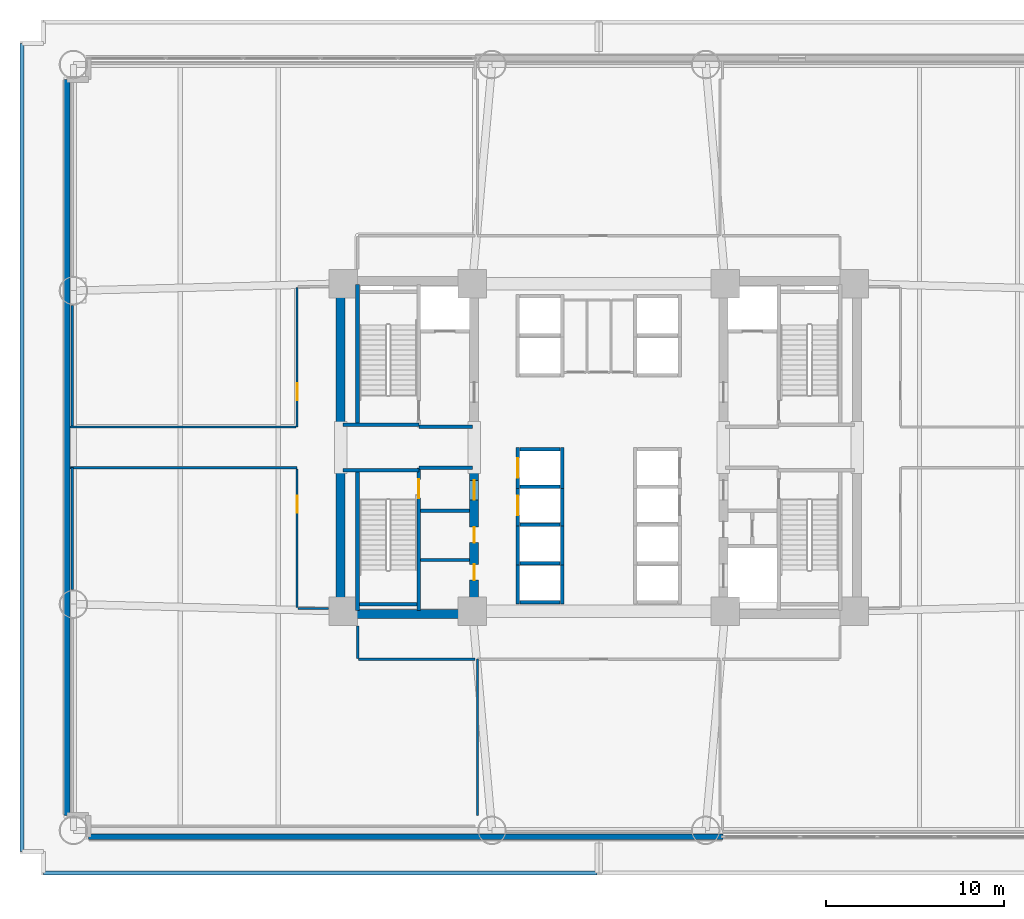
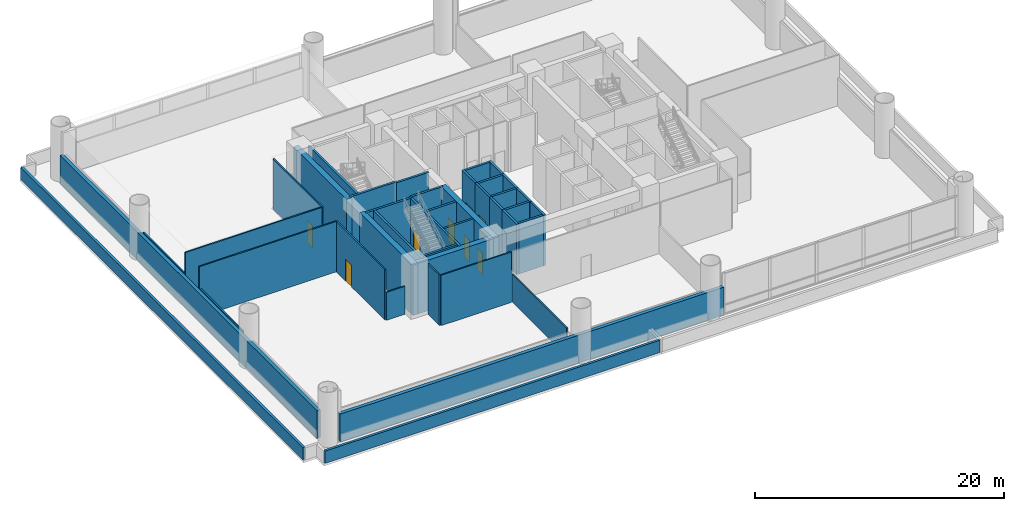
# One storey, part 5 of 12: 41 walls, 8 doors, 8 openings.
"""IFC4 building model written with IfcOpenShell, lengths in metres."""

from ifc_helpers import new_model, si_unit, direction, frame, frame_2d, origin, place, context, subcontext, project, spatial, rectangle, extrude, source, transform, mapped, material, layer, layer_set, type_object, element, fill, save


model = new_model("IFC4")

# Units and contexts
model_context = context("Model", 3, precision=1e-05, world=origin(), true_north=direction((0.0, 1.0)))
body_context = subcontext(model_context, "Body", "Model", "MODEL_VIEW")
ifc_project = project(units=[si_unit("LENGTHUNIT", "METRE"), si_unit("AREAUNIT", "SQUARE_METRE"), si_unit("VOLUMEUNIT", "CUBIC_METRE"), si_unit("PLANEANGLEUNIT", "RADIAN"), si_unit("MASSUNIT", "GRAM", prefix="KILO")], contexts=[model_context])

# Site, building, storey
site_placement = place(None, origin())
site = spatial("IfcSite", under=ifc_project, at=site_placement, CompositionType="ELEMENT")
building_placement = place(site_placement, origin())
building = spatial("IfcBuilding", under=site, at=building_placement, Name="Zahravan Cultural Tower", CompositionType="ELEMENT")
storey_placement = place(building_placement, frame((0.0, 0.0, 18.0)))
storey = spatial("IfcBuildingStorey", under=building, at=storey_placement, Name="L03", CompositionType="ELEMENT", Elevation=18.0)

# Wall, openings, doors
ifc_material_1 = material(Name="Concrete C60/75", Category="concrete")
ifc_layer_1 = layer(ifc_material_1, 0.5)
ifc_layer_set_1 = layer_set([ifc_layer_1], Name="Concrete C60/75")
wall_type_1 = type_object("IfcWallType", Name="CW-SHEAR-500-C60", PredefinedType="SHEAR", material=ifc_layer_set_1)
wall_1_placement = place(storey_placement, frame((29.0, 17.39990234375, 0.0), z_axis=(0.0, 0.0, 1.0), x_axis=(0.0, 1.0, 0.0)))
wall_1 = element("IfcWall", 1, at=wall_1_placement, inside=storey, type_object=wall_type_1, Name="L03 Core Shear Wall CW-W-ES-L03", PredefinedType="SHEAR", context=body_context, shape_type="SweptSolid", body=[
    extrude(rectangle(XDim=8.550048828125, YDim=0.5, at=frame_2d((4.27490234375, 0.0))), origin(), (0.0, 0.0, 1.0), 4.949951171875),
])
opening_1_placement = place(wall_1_placement, frame((6.64990234375, 0.0, 0.0)))
opening_1 = element("IfcOpeningElement", 2, at=opening_1_placement, cuts=wall_1, Name="Opening D-L03-07", PredefinedType="OPENING", context=body_context, shape_type="SweptSolid", body=[
    extrude(rectangle(XDim=1.10009765625, YDim=2.199951171875, at=frame_2d((0.550048828125, 1.10009765625))), frame((0.0, 0.260009765625, 0.0), z_axis=(0.0, -1.0, 0.0), x_axis=(1.0, 0.0, 0.0)), (0.0, 0.0, 1.0), 0.52001953125),
])
opening_2_placement = place(wall_1_placement, frame((2.14990234375, 0.0, 0.0)))
opening_2 = element("IfcOpeningElement", 3, at=opening_2_placement, cuts=wall_1, Name="Opening D-L03-09", PredefinedType="OPENING", context=body_context, shape_type="SweptSolid", body=[
    extrude(rectangle(XDim=0.8798828125, YDim=2.10009765625, at=frame_2d((0.43994140625, 1.050048828125))), frame((0.0, 0.260009765625, 0.0), z_axis=(0.0, -1.0, 0.0), x_axis=(1.0, 0.0, 0.0)), (0.0, 0.0, 1.0), 0.52001953125),
])
opening_3_placement = place(wall_1_placement, frame((4.25, 0.0, 0.0)))
opening_3 = element("IfcOpeningElement", 4, at=opening_3_placement, cuts=wall_1, Name="Opening D-L03-10", PredefinedType="OPENING", context=body_context, shape_type="SweptSolid", body=[
    extrude(rectangle(XDim=0.8798828125, YDim=2.10009765625, at=frame_2d((0.43994140625, 1.050048828125))), frame((0.0, 0.260009765625, 0.0), z_axis=(0.0, -1.0, 0.0), x_axis=(1.0, 0.0, 0.0)), (0.0, 0.0, 1.0), 0.52001953125),
])
ifc_material_2 = material(Name="Steel ASTM A572 Grade 50", Category="steel")
door_type_1 = type_object("IfcDoorType", Name="DR-LOBBY-1100", OperationType="NOTDEFINED", PredefinedType="DOOR", material=ifc_material_2)
shared_shape_1 = source(origin(), body_context, "Body", "SweptSolid", [
    extrude(rectangle(XDim=1.10009765625, YDim=2.199951171875, at=frame_2d((0.550048828125, 1.10009765625))), frame((0.0, 0.02490234375, 0.0), z_axis=(0.0, -1.0, 0.0), x_axis=(1.0, 0.0, 0.0)), (0.0, 0.0, 1.0), 0.050048828125),
])
door_1_placement = place(opening_1_placement, origin())
door_1 = element("IfcDoor", 5, at=door_1_placement, inside=storey, type_object=door_type_1, Name="L03 Door D-L03-07", OperationType="SINGLE_SWING_LEFT", OverallHeight=2.199951171875, OverallWidth=1.10009765625, PredefinedType="DOOR", context=body_context, shape_type="MappedRepresentation", body=[
    mapped(shared_shape_1, transform((0.0, 0.0, 0.0), x_axis=(1.0, 0.0, 0.0), y_axis=(0.0, 1.0, 0.0), z_axis=(0.0, 0.0, 1.0), scale=1.0)),
])
fill(opening_1, door_1)
door_type_2 = type_object("IfcDoorType", Name="DR-SVC-880", OperationType="NOTDEFINED", PredefinedType="DOOR", material=ifc_material_2)
shared_shape_2 = source(origin(), body_context, "Body", "SweptSolid", [
    extrude(rectangle(XDim=0.8798828125, YDim=2.10009765625, at=frame_2d((0.43994140625, 1.050048828125))), frame((0.0, 0.02490234375, 0.0), z_axis=(0.0, -1.0, 0.0), x_axis=(1.0, 0.0, 0.0)), (0.0, 0.0, 1.0), 0.050048828125),
])
door_2_placement = place(opening_2_placement, origin())
door_2 = element("IfcDoor", 6, at=door_2_placement, inside=storey, type_object=door_type_2, Name="L03 Door D-L03-09", OperationType="SINGLE_SWING_LEFT", OverallHeight=2.10009765625, OverallWidth=0.8798828125, PredefinedType="DOOR", context=body_context, shape_type="MappedRepresentation", body=[
    mapped(shared_shape_2, transform((0.0, 0.0, 0.0), x_axis=(1.0, 0.0, 0.0), y_axis=(0.0, 1.0, 0.0), z_axis=(0.0, 0.0, 1.0), scale=1.0)),
])
fill(opening_2, door_2)
door_3_placement = place(opening_3_placement, origin())
door_3 = element("IfcDoor", 7, at=door_3_placement, inside=storey, type_object=door_type_2, Name="L03 Door D-L03-10", OperationType="SINGLE_SWING_RIGHT", OverallHeight=2.10009765625, OverallWidth=0.8798828125, PredefinedType="DOOR", context=body_context, shape_type="MappedRepresentation", body=[
    mapped(shared_shape_2, transform((0.0, 0.0, 0.0), x_axis=(1.0, 0.0, 0.0), y_axis=(0.0, 1.0, 0.0), z_axis=(0.0, 0.0, 1.0), scale=1.0)),
])
fill(opening_3, door_3)

# Wall, opening, door
ifc_material_3 = material(Name="Gypsum plasterboard partition")
ifc_layer_2 = layer(ifc_material_3, 0.125)
ifc_layer_set_2 = layer_set([ifc_layer_2], Name="Gypsum plasterboard partition")
wall_type_2 = type_object("IfcWallType", Name="W-PART-125", PredefinedType="PARTITIONING", material=ifc_layer_set_2)
wall_2_placement = place(storey_placement, frame((19.06005859375, 25.79248046875, 0.0), z_axis=(0.0, 0.0, 1.0), x_axis=(0.0, -1.0, 0.0)))
wall_2 = element("IfcWall", 8, at=wall_2_placement, inside=storey, type_object=wall_type_2, Name="L03 Interior Wall 088", PredefinedType="PARTITIONING", context=body_context, shape_type="SweptSolid", body=[
    extrude(rectangle(XDim=7.78515625, YDim=0.125, at=frame_2d((3.892578125, 0.0))), origin(), (0.0, 0.0, 1.0), 4.949951171875),
])
opening_4_placement = place(wall_2_placement, frame((1.503662109375, 0.0, 0.0)))
opening_4 = element("IfcOpeningElement", 9, at=opening_4_placement, cuts=wall_2, Name="Opening D-L03-16", PredefinedType="OPENING", context=body_context, shape_type="SweptSolid", body=[
    extrude(rectangle(XDim=0.949951171875, YDim=2.14990234375, at=frame_2d((0.47509765625, 1.074951171875))), frame((0.0, 0.072509765625, 0.0), z_axis=(0.0, -1.0, 0.0), x_axis=(1.0, 0.0, 0.0)), (0.0, 0.0, 1.0), 0.14501953125),
])
ifc_material_4 = material(Name="Anodised bronze-aluminium mullion", Category="aluminium")
door_type_3 = type_object("IfcDoorType", Name="DR-ROOM-950", OperationType="NOTDEFINED", PredefinedType="DOOR", material=ifc_material_4)
shared_shape_3 = source(origin(), body_context, "Body", "SweptSolid", [
    extrude(rectangle(XDim=0.949951171875, YDim=2.14990234375, at=frame_2d((0.47509765625, 1.074951171875))), frame((0.0, 0.02490234375, 0.0), z_axis=(0.0, -1.0, 0.0), x_axis=(1.0, 0.0, 0.0)), (0.0, 0.0, 1.0), 0.050048828125),
])
door_4_placement = place(opening_4_placement, origin())
door_4 = element("IfcDoor", 10, at=door_4_placement, inside=storey, type_object=door_type_3, Name="L03 Door D-L03-16", OperationType="SINGLE_SWING_RIGHT", OverallHeight=2.14990234375, OverallWidth=0.949951171875, PredefinedType="DOOR", context=body_context, shape_type="MappedRepresentation", body=[
    mapped(shared_shape_3, transform((0.0, 0.0, 0.0), x_axis=(1.0, 0.0, 0.0), y_axis=(0.0, 1.0, 0.0), z_axis=(0.0, 0.0, 1.0), scale=1.0)),
])
fill(opening_4, door_4)

wall_3_placement = place(storey_placement, frame((19.06005859375, 35.994140625, 0.0), z_axis=(0.0, 0.0, 1.0), x_axis=(0.0, -1.0, 0.0)))
wall_3 = element("IfcWall", 11, at=wall_3_placement, inside=storey, type_object=wall_type_2, Name="L03 Interior Wall 096", PredefinedType="PARTITIONING", context=body_context, shape_type="SweptSolid", body=[
    extrude(rectangle(XDim=7.854248046875, YDim=0.125, at=frame_2d((3.92724609375, 0.0))), origin(), (0.0, 0.0, 1.0), 4.949951171875),
])
opening_5_placement = place(wall_3_placement, frame((5.38525390625, 0.0, 0.0)))
opening_5 = element("IfcOpeningElement", 12, at=opening_5_placement, cuts=wall_3, Name="Opening D-L03-17", PredefinedType="OPENING", context=body_context, shape_type="SweptSolid", body=[
    extrude(rectangle(XDim=0.949951171875, YDim=2.14990234375, at=frame_2d((0.47509765625, 1.074951171875))), frame((0.0, 0.072509765625, 0.0), z_axis=(0.0, -1.0, 0.0), x_axis=(1.0, 0.0, 0.0)), (0.0, 0.0, 1.0), 0.14501953125),
])
door_5_placement = place(opening_5_placement, origin())
door_5 = element("IfcDoor", 13, at=door_5_placement, inside=storey, type_object=door_type_3, Name="L03 Door D-L03-17", OperationType="SINGLE_SWING_LEFT", OverallHeight=2.14990234375, OverallWidth=0.949951171875, PredefinedType="DOOR", context=body_context, shape_type="MappedRepresentation", body=[
    mapped(shared_shape_3, transform((0.0, 0.0, 0.0), x_axis=(1.0, 0.0, 0.0), y_axis=(0.0, 1.0, 0.0), z_axis=(0.0, 0.0, 1.0), scale=1.0)),
])
fill(opening_5, door_5)

ifc_material_5 = material(Name="Concrete C45/55", Category="concrete")
ifc_layer_3 = layer(ifc_material_5, 0.199951171875)
ifc_layer_set_3 = layer_set([ifc_layer_3], Name="Concrete C45/55")
wall_type_3 = type_object("IfcWallType", Name="W-SHAFT-200", PredefinedType="SOLIDWALL", material=ifc_layer_set_3)
wall_4_placement = place(storey_placement, frame((25.89990234375, 17.85009765625, 0.0), z_axis=(0.0, 0.0, 1.0), x_axis=(0.0, 1.0, 0.0)))
wall_4 = element("IfcWall", 14, at=wall_4_placement, inside=storey, type_object=wall_type_3, Name="L03 Interior Wall 005", PredefinedType="SOLIDWALL", context=body_context, shape_type="SweptSolid", body=[
    extrude(rectangle(XDim=8.0, YDim=0.199951171875, at=frame_2d((4.0, 0.0))), origin(), (0.0, 0.0, 1.0), 4.949951171875),
])
opening_6_placement = place(wall_4_placement, frame((6.300048828125, 0.0, 0.0)))
opening_6 = element("IfcOpeningElement", 15, at=opening_6_placement, cuts=wall_4, Name="Opening D-L03-04", PredefinedType="OPENING", context=body_context, shape_type="SweptSolid", body=[
    extrude(rectangle(XDim=1.050048828125, YDim=2.14990234375, at=frame_2d((0.52490234375, 1.074951171875))), frame((0.0, 0.10986328125, 0.0), z_axis=(0.0, -1.0, 0.0), x_axis=(1.0, 0.0, 0.0)), (0.0, 0.0, 1.0), 0.219970703125),
])
door_type_4 = type_object("IfcDoorType", Name="DR-STAIR-1050", OperationType="NOTDEFINED", PredefinedType="DOOR", material=ifc_material_2)
shared_shape_4 = source(origin(), body_context, "Body", "SweptSolid", [
    extrude(rectangle(XDim=1.050048828125, YDim=2.14990234375, at=frame_2d((0.52490234375, 1.074951171875))), frame((0.0, 0.02490234375, 0.0), z_axis=(0.0, -1.0, 0.0), x_axis=(1.0, 0.0, 0.0)), (0.0, 0.0, 1.0), 0.050048828125),
])
door_6_placement = place(opening_6_placement, origin())
door_6 = element("IfcDoor", 16, at=door_6_placement, inside=storey, type_object=door_type_4, Name="L03 Door D-L03-04", OperationType="SINGLE_SWING_RIGHT", OverallHeight=2.14990234375, OverallWidth=1.050048828125, PredefinedType="DOOR", context=body_context, shape_type="MappedRepresentation", body=[
    mapped(shared_shape_4, transform((0.0, 0.0, 0.0), x_axis=(1.0, 0.0, 0.0), y_axis=(0.0, 1.0, 0.0), z_axis=(0.0, 0.0, 1.0), scale=1.0)),
])
fill(opening_6, door_6)

wall_5_placement = place(storey_placement, frame((31.449951171875, 24.699951171875, 0.0), z_axis=(0.0, 0.0, 1.0), x_axis=(0.0, 1.0, 0.0)))
wall_5 = element("IfcWall", 17, at=wall_5_placement, inside=storey, type_object=wall_type_3, Name="L03 Interior Wall 056", PredefinedType="SOLIDWALL", context=body_context, shape_type="SweptSolid", body=[
    extrude(rectangle(XDim=2.300048828125, YDim=0.199951171875, at=frame_2d((1.14990234375, 0.0))), origin(), (0.0, 0.0, 1.0), 4.949951171875),
])
opening_7_placement = place(wall_5_placement, frame((0.60009765625, 0.0, 0.0)))
opening_7 = element("IfcOpeningElement", 18, at=opening_7_placement, cuts=wall_5, Name="Opening LD-L03-04", PredefinedType="OPENING", context=body_context, shape_type="SweptSolid", body=[
    extrude(rectangle(XDim=1.10009765625, YDim=2.14990234375, at=frame_2d((0.550048828125, 1.074951171875))), frame((0.0, 0.10986328125, 0.0), z_axis=(0.0, -1.0, 0.0), x_axis=(1.0, 0.0, 0.0)), (0.0, 0.0, 1.0), 0.219970703125),
])
door_type_5 = type_object("IfcDoorType", Name="DR-LIFT-1100", OperationType="DOUBLE_DOOR_SLIDING", PredefinedType="DOOR", material=ifc_material_2)
shared_shape_5 = source(origin(), body_context, "Body", "SweptSolid", [
    extrude(rectangle(XDim=1.10009765625, YDim=2.14990234375, at=frame_2d((0.550048828125, 1.074951171875))), frame((0.0, 0.02490234375, 0.0), z_axis=(0.0, -1.0, 0.0), x_axis=(1.0, 0.0, 0.0)), (0.0, 0.0, 1.0), 0.050048828125),
])
door_7_placement = place(opening_7_placement, origin())
door_7 = element("IfcDoor", 19, at=door_7_placement, inside=storey, type_object=door_type_5, Name="L03 Door LD-L03-04", OperationType="DOUBLE_DOOR_SLIDING", OverallHeight=2.14990234375, OverallWidth=1.10009765625, PredefinedType="DOOR", context=body_context, shape_type="MappedRepresentation", body=[
    mapped(shared_shape_5, transform((0.0, 0.0, 0.0), x_axis=(1.0, 0.0, 0.0), y_axis=(0.0, 1.0, 0.0), z_axis=(0.0, 0.0, 1.0), scale=1.0)),
])
fill(opening_7, door_7)

wall_6_placement = place(storey_placement, frame((31.449951171875, 22.60009765625, 0.0), z_axis=(0.0, 0.0, 1.0), x_axis=(0.0, 1.0, 0.0)))
wall_6 = element("IfcWall", 20, at=wall_6_placement, inside=storey, type_object=wall_type_3, Name="L03 Interior Wall 060", PredefinedType="SOLIDWALL", context=body_context, shape_type="SweptSolid", body=[
    extrude(rectangle(XDim=2.2998046875, YDim=0.199951171875, at=frame_2d((1.14990234375, 0.0))), origin(), (0.0, 0.0, 1.0), 4.949951171875),
])
opening_8_placement = place(wall_6_placement, frame((0.60009765625, 0.0, 0.0)))
opening_8 = element("IfcOpeningElement", 21, at=opening_8_placement, cuts=wall_6, Name="Opening LD-L03-05", PredefinedType="OPENING", context=body_context, shape_type="SweptSolid", body=[
    extrude(rectangle(XDim=1.10009765625, YDim=2.14990234375, at=frame_2d((0.550048828125, 1.074951171875))), frame((0.0, 0.10986328125, 0.0), z_axis=(0.0, -1.0, 0.0), x_axis=(1.0, 0.0, 0.0)), (0.0, 0.0, 1.0), 0.219970703125),
])
door_8_placement = place(opening_8_placement, origin())
door_8 = element("IfcDoor", 22, at=door_8_placement, inside=storey, type_object=door_type_5, Name="L03 Door LD-L03-05", OperationType="DOUBLE_DOOR_SLIDING", OverallHeight=2.14990234375, OverallWidth=1.10009765625, PredefinedType="DOOR", context=body_context, shape_type="MappedRepresentation", body=[
    mapped(shared_shape_5, transform((0.0, 0.0, 0.0), x_axis=(1.0, 0.0, 0.0), y_axis=(0.0, 1.0, 0.0), z_axis=(0.0, 0.0, 1.0), scale=1.0)),
])
fill(opening_8, door_8)

# Walls
shared_shape_6 = source(origin(), body_context, "Body", "SweptSolid", [
    extrude(rectangle(XDim=8.550048828125, YDim=0.5, at=frame_2d((4.27490234375, 0.0))), origin(), (0.0, 0.0, 1.0), 4.949951171875),
])
for number, where, z_axis, x_axis, name in (
    (23, (21.5, 17.39990234375, 0.0), (0.0, 0.0, 1.0), (0.0, 1.0, 0.0), "L03 Core Shear Wall CW-W-WS-L03"),
    (24, (21.5, 28.050048828125, 0.0), (0.0, 0.0, 1.0), (0.0, 1.0, 0.0), "L03 Core Shear Wall CW-W-WN-L03"),
):
    element("IfcWall", number, at=place(storey_placement, frame(where, z_axis=z_axis, x_axis=x_axis)), inside=storey, type_object=wall_type_1, Name=name, PredefinedType="SHEAR", context=body_context, shape_type="MappedRepresentation", body=[
        mapped(shared_shape_6, transform((0.0, 0.0, 0.0), x_axis=(1.0, 0.0, 0.0), y_axis=(0.0, 1.0, 0.0), z_axis=(0.0, 0.0, 1.0), scale=1.0)),
    ])
shared_shape_7 = source(origin(), body_context, "Body", "SweptSolid", [
    extrude(rectangle(XDim=7.0, YDim=0.5, at=frame_2d((3.5, 0.0))), origin(), (0.0, 0.0, 1.0), 4.949951171875),
])
wall_7_placement = place(storey_placement, frame((21.75, 17.64990234375, 0.0), z_axis=(0.0, 0.0, 1.0), x_axis=(1.0, 0.0, 0.0)))
element("IfcWall", 25, at=wall_7_placement, inside=storey, type_object=wall_type_1, Name="L03 Core Shear Wall CW-W-S-L03", PredefinedType="SHEAR", context=body_context, shape_type="MappedRepresentation", body=[
    mapped(shared_shape_7, transform((0.0, 0.0, 0.0), x_axis=(1.0, 0.0, 0.0), y_axis=(0.0, 1.0, 0.0), z_axis=(0.0, 0.0, 1.0), scale=1.0)),
])
ifc_material_6 = material(Name="Precast concrete C40/50", Category="concrete")
ifc_layer_4 = layer(ifc_material_6, 0.219970703125)
ifc_layer_set_4 = layer_set([ifc_layer_4], Name="Precast concrete C40/50")
wall_type_4 = type_object("IfcWallType", Name="EW-PARAPET-220", PredefinedType="PARAPET", material=ifc_layer_set_4)
shared_shape_8 = source(origin(), body_context, "Body", "SweptSolid", [
    extrude(rectangle(XDim=31.079833984375, YDim=0.219970703125, at=frame_2d((15.5400390625, 0.0))), origin(), (0.0, 0.0, 1.0), 1.199951171875),
])
wall_8_placement = place(storey_placement, frame((35.889892578125, 3.110107421875, 0.0), z_axis=(0.0, 0.0, 1.0), x_axis=(-1.0, 0.0, 0.0)))
element("IfcWall", 26, at=wall_8_placement, inside=storey, type_object=wall_type_4, Name="L03 Setback Roof Parapet 1", PredefinedType="PARAPET", context=body_context, shape_type="MappedRepresentation", body=[
    mapped(shared_shape_8, transform((0.0, 0.0, 0.0), x_axis=(1.0, 0.0, 0.0), y_axis=(0.0, 1.0, 0.0), z_axis=(0.0, 0.0, 1.0), scale=1.0)),
])
shared_shape_9 = source(origin(), body_context, "Body", "SweptSolid", [
    extrude(rectangle(XDim=45.3798828125, YDim=0.219970703125, at=frame_2d((22.68994140625, 0.0))), origin(), (0.0, 0.0, 1.0), 1.199951171875),
])
wall_9_placement = place(storey_placement, frame((3.610107421875, 4.31005859375, 0.0), z_axis=(0.0, 0.0, 1.0), x_axis=(0.0, 1.0, 0.0)))
element("IfcWall", 27, at=wall_9_placement, inside=storey, type_object=wall_type_4, Name="L03 Setback Roof Parapet 4", PredefinedType="PARAPET", context=body_context, shape_type="MappedRepresentation", body=[
    mapped(shared_shape_9, transform((0.0, 0.0, 0.0), x_axis=(1.0, 0.0, 0.0), y_axis=(0.0, 1.0, 0.0), z_axis=(0.0, 0.0, 1.0), scale=1.0)),
])
ifc_layer_5 = layer(ifc_material_6, 0.320068359375)
ifc_layer_set_5 = layer_set([ifc_layer_5], Name="Precast concrete C40/50")
wall_type_5 = type_object("IfcWallType", Name="EW-TC-320", PredefinedType="SOLIDWALL", material=ifc_layer_set_5)
shared_shape_10 = source(origin(), body_context, "Body", "SweptSolid", [
    extrude(rectangle(XDim=41.31982421875, YDim=0.320068359375, at=frame_2d((20.659912109375, 0.0))), origin(), (0.0, 0.0, 1.0), 2.741943359375),
])
wall_10_placement = place(storey_placement, frame((6.139892578125, 6.340087890625, 0.0), z_axis=(0.0, 0.0, 1.0), x_axis=(0.0, 1.0, 0.0)))
element("IfcWall", 28, at=wall_10_placement, inside=storey, type_object=wall_type_5, Name="L03 Exterior Masonry Frame Wall 07", PredefinedType="SOLIDWALL", context=body_context, shape_type="MappedRepresentation", body=[
    mapped(shared_shape_10, transform((0.0, 0.0, 0.0), x_axis=(1.0, 0.0, 0.0), y_axis=(0.0, 1.0, 0.0), z_axis=(0.0, 0.0, 1.0), scale=1.0)),
])
shared_shape_11 = source(origin(), body_context, "Body", "SweptSolid", [
    extrude(rectangle(XDim=35.625, YDim=0.320068359375, at=frame_2d((17.8125, 0.0))), origin(), (0.0, 0.0, 1.0), 2.741943359375),
])
wall_11_placement = place(storey_placement, frame((42.965087890625, 5.139892578125, 0.0), z_axis=(0.0, 0.0, 1.0), x_axis=(-1.0, 0.0, 0.0)))
element("IfcWall", 29, at=wall_11_placement, inside=storey, type_object=wall_type_5, Name="L03 Exterior Masonry Frame Wall 04", PredefinedType="SOLIDWALL", context=body_context, shape_type="MappedRepresentation", body=[
    mapped(shared_shape_11, transform((0.0, 0.0, 0.0), x_axis=(1.0, 0.0, 0.0), y_axis=(0.0, 1.0, 0.0), z_axis=(0.0, 0.0, 1.0), scale=1.0)),
])
shared_shape_12 = source(origin(), body_context, "Body", "SweptSolid", [
    extrude(rectangle(XDim=7.869873046875, YDim=0.199951171875, at=frame_2d((3.93505859375, 0.0))), origin(), (0.0, 0.0, 1.0), 4.949951171875),
])
for number, where, z_axis, x_axis, name in (
    (30, (22.449951171875, 17.85009765625, 0.0), (0.0, 0.0, 1.0), (0.0, 1.0, 0.0), "L03 Interior Wall 001"),
    (31, (22.449951171875, 28.280029296875, 0.0), (0.0, 0.0, 1.0), (0.0, 1.0, 0.0), "L03 Interior Wall 002"),
):
    element("IfcWall", number, at=place(storey_placement, frame(where, z_axis=z_axis, x_axis=x_axis)), inside=storey, type_object=wall_type_3, Name=name, PredefinedType="SOLIDWALL", context=body_context, shape_type="MappedRepresentation", body=[
        mapped(shared_shape_12, transform((0.0, 0.0, 0.0), x_axis=(1.0, 0.0, 0.0), y_axis=(0.0, 1.0, 0.0), z_axis=(0.0, 0.0, 1.0), scale=1.0)),
    ])
shared_shape_13 = source(origin(), body_context, "Body", "SweptSolid", [
    extrude(rectangle(XDim=4.25, YDim=0.199951171875, at=frame_2d((2.125, 0.0))), origin(), (0.0, 0.0, 1.0), 4.949951171875),
])
for number, where, z_axis, x_axis, name in (
    (32, (21.64990234375, 25.715087890625, 0.0), (0.0, 0.0, 1.0), (1.0, 0.0, 0.0), "L03 Interior Wall 009"),
    (33, (21.64990234375, 28.284912109375, 0.0), (0.0, 0.0, 1.0), (1.0, 0.0, 0.0), "L03 Interior Wall 011"),
):
    element("IfcWall", number, at=place(storey_placement, frame(where, z_axis=z_axis, x_axis=x_axis)), inside=storey, type_object=wall_type_3, Name=name, PredefinedType="SOLIDWALL", context=body_context, shape_type="MappedRepresentation", body=[
        mapped(shared_shape_13, transform((0.0, 0.0, 0.0), x_axis=(1.0, 0.0, 0.0), y_axis=(0.0, 1.0, 0.0), z_axis=(0.0, 0.0, 1.0), scale=1.0)),
    ])
shared_shape_14 = source(origin(), body_context, "Body", "SweptSolid", [
    extrude(rectangle(XDim=3.0, YDim=0.199951171875, at=frame_2d((1.5, 0.0))), origin(), (0.0, 0.0, 1.0), 4.949951171875),
])
for number, where, z_axis, x_axis, name in (
    (34, (25.89990234375, 25.85009765625, 0.0), (0.0, 0.0, 1.0), (1.0, 0.0, 0.0), "L03 Interior Wall 010"),
    (35, (25.89990234375, 28.14990234375, 0.0), (0.0, 0.0, 1.0), (1.0, 0.0, 0.0), "L03 Interior Wall 012"),
):
    element("IfcWall", number, at=place(storey_placement, frame(where, z_axis=z_axis, x_axis=x_axis)), inside=storey, type_object=wall_type_3, Name=name, PredefinedType="SOLIDWALL", context=body_context, shape_type="MappedRepresentation", body=[
        mapped(shared_shape_14, transform((0.0, 0.0, 0.0), x_axis=(1.0, 0.0, 0.0), y_axis=(0.0, 1.0, 0.0), z_axis=(0.0, 0.0, 1.0), scale=1.0)),
    ])
shared_shape_15 = source(origin(), body_context, "Body", "SweptSolid", [
    extrude(rectangle(XDim=3.25, YDim=0.199951171875, at=frame_2d((1.625, 0.0))), origin(), (0.0, 0.0, 1.0), 4.949951171875),
])
wall_12_placement = place(storey_placement, frame((22.550048828125, 18.199951171875, 0.0), z_axis=(0.0, 0.0, 1.0), x_axis=(1.0, 0.0, 0.0)))
element("IfcWall", 36, at=wall_12_placement, inside=storey, type_object=wall_type_3, Name="L03 Interior Wall 019", PredefinedType="SOLIDWALL", context=body_context, shape_type="MappedRepresentation", body=[
    mapped(shared_shape_15, transform((0.0, 0.0, 0.0), x_axis=(1.0, 0.0, 0.0), y_axis=(0.0, 1.0, 0.0), z_axis=(0.0, 0.0, 1.0), scale=1.0)),
])
shared_shape_16 = source(origin(), body_context, "Body", "SweptSolid", [
    extrude(rectangle(XDim=2.75, YDim=0.199951171875, at=frame_2d((1.375, 0.0))), origin(), (0.0, 0.0, 1.0), 4.949951171875),
])
wall_13_placement = place(storey_placement, frame((26.0, 23.449951171875, 0.0), z_axis=(0.0, 0.0, 1.0), x_axis=(1.0, 0.0, 0.0)))
element("IfcWall", 37, at=wall_13_placement, inside=storey, type_object=wall_type_3, Name="L03 Interior Wall 023", PredefinedType="SOLIDWALL", context=body_context, shape_type="MappedRepresentation", body=[
    mapped(shared_shape_16, transform((0.0, 0.0, 0.0), x_axis=(1.0, 0.0, 0.0), y_axis=(0.0, 1.0, 0.0), z_axis=(0.0, 0.0, 1.0), scale=1.0)),
])
ifc_layer_6 = layer(ifc_material_3, 0.179931640625)
ifc_layer_set_6 = layer_set([ifc_layer_6], Name="Gypsum plasterboard partition")
wall_type_6 = type_object("IfcWallType", Name="W-COMP-180", PredefinedType="PARTITIONING", material=ifc_layer_set_6)
shared_shape_17 = source(origin(), body_context, "Body", "SweptSolid", [
    extrude(rectangle(XDim=2.75, YDim=0.179931640625, at=frame_2d((1.375, 0.0))), origin(), (0.0, 0.0, 1.0), 4.949951171875),
])
wall_14_placement = place(storey_placement, frame((26.0, 20.679931640625, 0.0), z_axis=(0.0, 0.0, 1.0), x_axis=(1.0, 0.0, 0.0)))
element("IfcWall", 38, at=wall_14_placement, inside=storey, type_object=wall_type_6, Name="L03 Interior Wall 026", PredefinedType="PARTITIONING", context=body_context, shape_type="MappedRepresentation", body=[
    mapped(shared_shape_17, transform((0.0, 0.0, 0.0), x_axis=(1.0, 0.0, 0.0), y_axis=(0.0, 1.0, 0.0), z_axis=(0.0, 0.0, 1.0), scale=1.0)),
])
shared_shape_18 = source(origin(), body_context, "Body", "SweptSolid", [
    extrude(rectangle(XDim=2.260009765625, YDim=0.199951171875, at=frame_2d((1.1298828125, 0.0))), origin(), (0.0, 0.0, 1.0), 4.949951171875),
])
for number, where, z_axis, x_axis, name in (
    (39, (31.570068359375, 20.5, 0.0), (0.0, 0.0, 1.0), (1.0, 0.0, 0.0), "L03 Interior Wall 044"),
    (40, (31.570068359375, 22.64990234375, 0.0), (0.0, 0.0, 1.0), (1.0, 0.0, 0.0), "L03 Interior Wall 045"),
    (41, (31.570068359375, 18.300048828125, 0.0), (0.0, 0.0, 1.0), (1.0, 0.0, 0.0), "L03 Interior Wall 048"),
    (42, (31.570068359375, 24.800048828125, 0.0), (0.0, 0.0, 1.0), (1.0, 0.0, 0.0), "L03 Interior Wall 058"),
    (43, (31.570068359375, 26.89990234375, 0.0), (0.0, 0.0, 1.0), (1.0, 0.0, 0.0), "L03 Interior Wall 059"),
):
    element("IfcWall", number, at=place(storey_placement, frame(where, z_axis=z_axis, x_axis=x_axis)), inside=storey, type_object=wall_type_3, Name=name, PredefinedType="SOLIDWALL", context=body_context, shape_type="MappedRepresentation", body=[
        mapped(shared_shape_18, transform((0.0, 0.0, 0.0), x_axis=(1.0, 0.0, 0.0), y_axis=(0.0, 1.0, 0.0), z_axis=(0.0, 0.0, 1.0), scale=1.0)),
    ])
shared_shape_19 = source(origin(), body_context, "Body", "SweptSolid", [
    extrude(rectangle(XDim=2.35009765625, YDim=0.199951171875, at=frame_2d((1.175048828125, 0.0))), origin(), (0.0, 0.0, 1.0), 4.949951171875),
])
for number, where, z_axis, x_axis, name in (
    (44, (31.449951171875, 20.39990234375, 0.0), (0.0, 0.0, 1.0), (0.0, 1.0, 0.0), "L03 Interior Wall 042"),
    (45, (33.949951171875, 20.39990234375, 0.0), (0.0, 0.0, 1.0), (0.0, 1.0, 0.0), "L03 Interior Wall 043"),
    (46, (31.449951171875, 18.199951171875, 0.0), (0.0, 0.0, 1.0), (0.0, 1.0, 0.0), "L03 Interior Wall 046"),
    (47, (33.949951171875, 18.199951171875, 0.0), (0.0, 0.0, 1.0), (0.0, 1.0, 0.0), "L03 Interior Wall 047"),
):
    element("IfcWall", number, at=place(storey_placement, frame(where, z_axis=z_axis, x_axis=x_axis)), inside=storey, type_object=wall_type_3, Name=name, PredefinedType="SOLIDWALL", context=body_context, shape_type="MappedRepresentation", body=[
        mapped(shared_shape_19, transform((0.0, 0.0, 0.0), x_axis=(1.0, 0.0, 0.0), y_axis=(0.0, 1.0, 0.0), z_axis=(0.0, 0.0, 1.0), scale=1.0)),
    ])
shared_shape_20 = source(origin(), body_context, "Body", "SweptSolid", [
    extrude(rectangle(XDim=2.300048828125, YDim=0.199951171875, at=frame_2d((1.14990234375, 0.0))), origin(), (0.0, 0.0, 1.0), 4.949951171875),
])
wall_15_placement = place(storey_placement, frame((33.949951171875, 24.699951171875, 0.0), z_axis=(0.0, 0.0, 1.0), x_axis=(0.0, 1.0, 0.0)))
element("IfcWall", 48, at=wall_15_placement, inside=storey, type_object=wall_type_3, Name="L03 Interior Wall 057", PredefinedType="SOLIDWALL", context=body_context, shape_type="MappedRepresentation", body=[
    mapped(shared_shape_20, transform((0.0, 0.0, 0.0), x_axis=(1.0, 0.0, 0.0), y_axis=(0.0, 1.0, 0.0), z_axis=(0.0, 0.0, 1.0), scale=1.0)),
])
shared_shape_21 = source(origin(), body_context, "Body", "SweptSolid", [
    extrude(rectangle(XDim=2.2998046875, YDim=0.199951171875, at=frame_2d((1.14990234375, 0.0))), origin(), (0.0, 0.0, 1.0), 4.949951171875),
])
wall_16_placement = place(storey_placement, frame((33.949951171875, 22.60009765625, 0.0), z_axis=(0.0, 0.0, 1.0), x_axis=(0.0, 1.0, 0.0)))
element("IfcWall", 49, at=wall_16_placement, inside=storey, type_object=wall_type_3, Name="L03 Interior Wall 061", PredefinedType="SOLIDWALL", context=body_context, shape_type="MappedRepresentation", body=[
    mapped(shared_shape_21, transform((0.0, 0.0, 0.0), x_axis=(1.0, 0.0, 0.0), y_axis=(0.0, 1.0, 0.0), z_axis=(0.0, 0.0, 1.0), scale=1.0)),
])
shared_shape_22 = source(origin(), body_context, "Body", "SweptSolid", [
    extrude(rectangle(XDim=8.7900390625, YDim=0.125, at=frame_2d((4.39501953125, 0.0))), origin(), (0.0, 0.0, 1.0), 2.741943359375),
])
wall_17_placement = place(storey_placement, frame((29.18994140625, 6.320068359375, 0.0), z_axis=(0.0, 0.0, 1.0), x_axis=(0.0, 1.0, 0.0)))
element("IfcWall", 50, at=wall_17_placement, inside=storey, type_object=wall_type_2, Name="L03 Interior Wall 077", PredefinedType="PARTITIONING", context=body_context, shape_type="MappedRepresentation", body=[
    mapped(shared_shape_22, transform((0.0, 0.0, 0.0), x_axis=(1.0, 0.0, 0.0), y_axis=(0.0, 1.0, 0.0), z_axis=(0.0, 0.0, 1.0), scale=1.0)),
])
shared_shape_23 = source(origin(), body_context, "Body", "SweptSolid", [
    extrude(rectangle(XDim=6.840087890625, YDim=0.125, at=frame_2d((3.419921875, 0.0))), origin(), (0.0, 0.0, 1.0), 2.741943359375),
])
wall_18_placement = place(storey_placement, frame((6.43994140625, 19.02001953125, 0.0), z_axis=(0.0, 0.0, 1.0), x_axis=(0.0, 1.0, 0.0)))
element("IfcWall", 51, at=wall_18_placement, inside=storey, type_object=wall_type_2, Name="L03 Interior Wall 086", PredefinedType="PARTITIONING", context=body_context, shape_type="MappedRepresentation", body=[
    mapped(shared_shape_23, transform((0.0, 0.0, 0.0), x_axis=(1.0, 0.0, 0.0), y_axis=(0.0, 1.0, 0.0), z_axis=(0.0, 0.0, 1.0), scale=1.0)),
])
shared_shape_24 = source(origin(), body_context, "Body", "SweptSolid", [
    extrude(rectangle(XDim=12.760009765625, YDim=0.125, at=frame_2d((6.3798828125, 0.0))), origin(), (0.0, 0.0, 1.0), 4.949951171875),
])
wall_19_placement = place(storey_placement, frame((6.300048828125, 25.860107421875, 0.0), z_axis=(0.0, 0.0, 1.0), x_axis=(1.0, 0.0, 0.0)))
element("IfcWall", 52, at=wall_19_placement, inside=storey, type_object=wall_type_2, Name="L03 Interior Wall 087", PredefinedType="PARTITIONING", context=body_context, shape_type="MappedRepresentation", body=[
    mapped(shared_shape_24, transform((0.0, 0.0, 0.0), x_axis=(1.0, 0.0, 0.0), y_axis=(0.0, 1.0, 0.0), z_axis=(0.0, 0.0, 1.0), scale=1.0)),
])
shared_shape_25 = source(origin(), body_context, "Body", "SweptSolid", [
    extrude(rectangle(XDim=1.72412109375, YDim=0.125, at=frame_2d((0.862060546875, 0.0))), origin(), (0.0, 0.0, 1.0), 2.741943359375),
])
wall_20_placement = place(storey_placement, frame((19.10595703125, 17.9599609375, 0.0), z_axis=(0.0, 0.0, 1.0), x_axis=(1.0, 0.0, 0.0)))
element("IfcWall", 53, at=wall_20_placement, inside=storey, type_object=wall_type_2, Name="L03 Interior Wall 089", PredefinedType="PARTITIONING", context=body_context, shape_type="MappedRepresentation", body=[
    mapped(shared_shape_25, transform((0.0, 0.0, 0.0), x_axis=(1.0, 0.0, 0.0), y_axis=(0.0, 1.0, 0.0), z_axis=(0.0, 0.0, 1.0), scale=1.0)),
])
shared_shape_26 = source(origin(), body_context, "Body", "SweptSolid", [
    extrude(rectangle(XDim=1.830810546875, YDim=0.125, at=frame_2d((0.91552734375, 0.0))), origin(), (0.0, 0.0, 1.0), 4.949951171875),
])
wall_21_placement = place(storey_placement, frame((22.460205078125, 16.97998046875, 0.0), z_axis=(0.0, 0.0, 1.0), x_axis=(0.000133351112, -0.999999991109, 0.0)))
element("IfcWall", 54, at=wall_21_placement, inside=storey, type_object=wall_type_2, Name="L03 Interior Wall 090", PredefinedType="PARTITIONING", context=body_context, shape_type="MappedRepresentation", body=[
    mapped(shared_shape_26, transform((0.0, 0.0, 0.0), x_axis=(1.0, 0.0, 0.0), y_axis=(0.0, 1.0, 0.0), z_axis=(0.0, 0.0, 1.0), scale=1.0)),
])
shared_shape_27 = source(origin(), body_context, "Body", "SweptSolid", [
    extrude(rectangle(XDim=6.55419921875, YDim=0.125, at=frame_2d((3.277099609375, 0.0))), origin(), (0.0, 0.0, 1.0), 4.949951171875),
])
wall_22_placement = place(storey_placement, frame((22.505859375, 15.110107421875, 0.0), z_axis=(0.0, 0.0, 1.0), x_axis=(1.0, 0.0, 0.0)))
element("IfcWall", 55, at=wall_22_placement, inside=storey, type_object=wall_type_2, Name="L03 Interior Wall 091", PredefinedType="PARTITIONING", context=body_context, shape_type="MappedRepresentation", body=[
    mapped(shared_shape_27, transform((0.0, 0.0, 0.0), x_axis=(1.0, 0.0, 0.0), y_axis=(0.0, 1.0, 0.0), z_axis=(0.0, 0.0, 1.0), scale=1.0)),
])
shared_shape_28 = source(origin(), body_context, "Body", "SweptSolid", [
    extrude(rectangle(XDim=12.6875, YDim=0.125, at=frame_2d((6.34375, 0.0))), origin(), (0.0, 0.0, 1.0), 4.949951171875),
])
wall_23_placement = place(storey_placement, frame((18.992431640625, 28.139892578125, 0.0), z_axis=(0.0, 0.0, 1.0), x_axis=(-1.0, 0.0, 0.0)))
element("IfcWall", 56, at=wall_23_placement, inside=storey, type_object=wall_type_2, Name="L03 Interior Wall 097", PredefinedType="PARTITIONING", context=body_context, shape_type="MappedRepresentation", body=[
    mapped(shared_shape_28, transform((0.0, 0.0, 0.0), x_axis=(1.0, 0.0, 0.0), y_axis=(0.0, 1.0, 0.0), z_axis=(0.0, 0.0, 1.0), scale=1.0)),
])
shared_shape_29 = source(origin(), body_context, "Body", "SweptSolid", [
    extrude(rectangle(XDim=6.7724609375, YDim=0.125, at=frame_2d((3.38623046875, 0.0))), origin(), (0.0, 0.0, 1.0), 2.741943359375),
])
wall_24_placement = place(storey_placement, frame((6.43994140625, 28.20751953125, 0.0), z_axis=(0.0, 0.0, 1.0), x_axis=(0.0, 1.0, 0.0)))
element("IfcWall", 57, at=wall_24_placement, inside=storey, type_object=wall_type_2, Name="L03 Interior Wall 098", PredefinedType="PARTITIONING", context=body_context, shape_type="MappedRepresentation", body=[
    mapped(shared_shape_29, transform((0.0, 0.0, 0.0), x_axis=(1.0, 0.0, 0.0), y_axis=(0.0, 1.0, 0.0), z_axis=(0.0, 0.0, 1.0), scale=1.0)),
])

save(model, "model.ifc")
